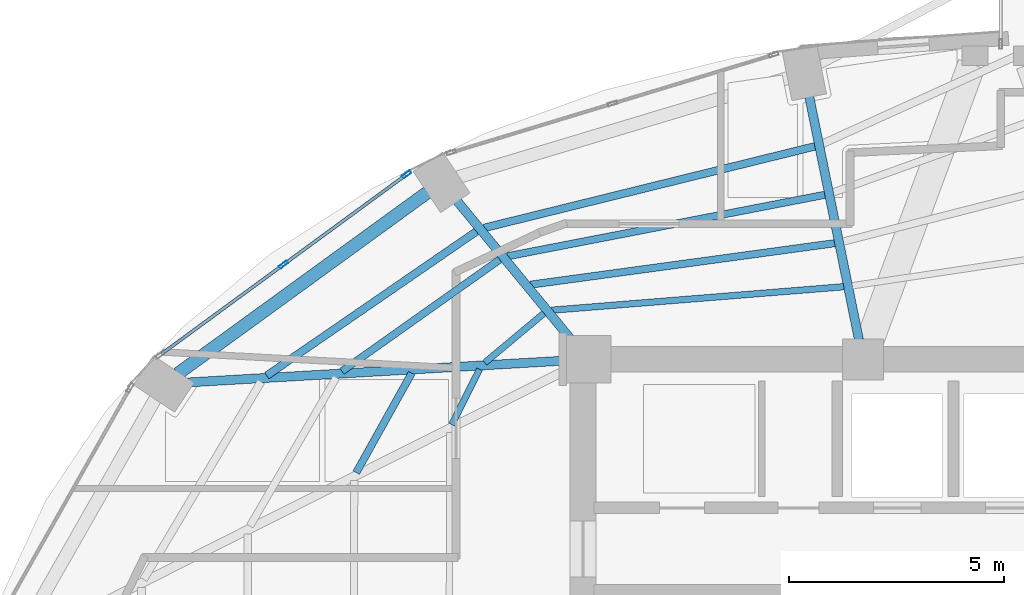
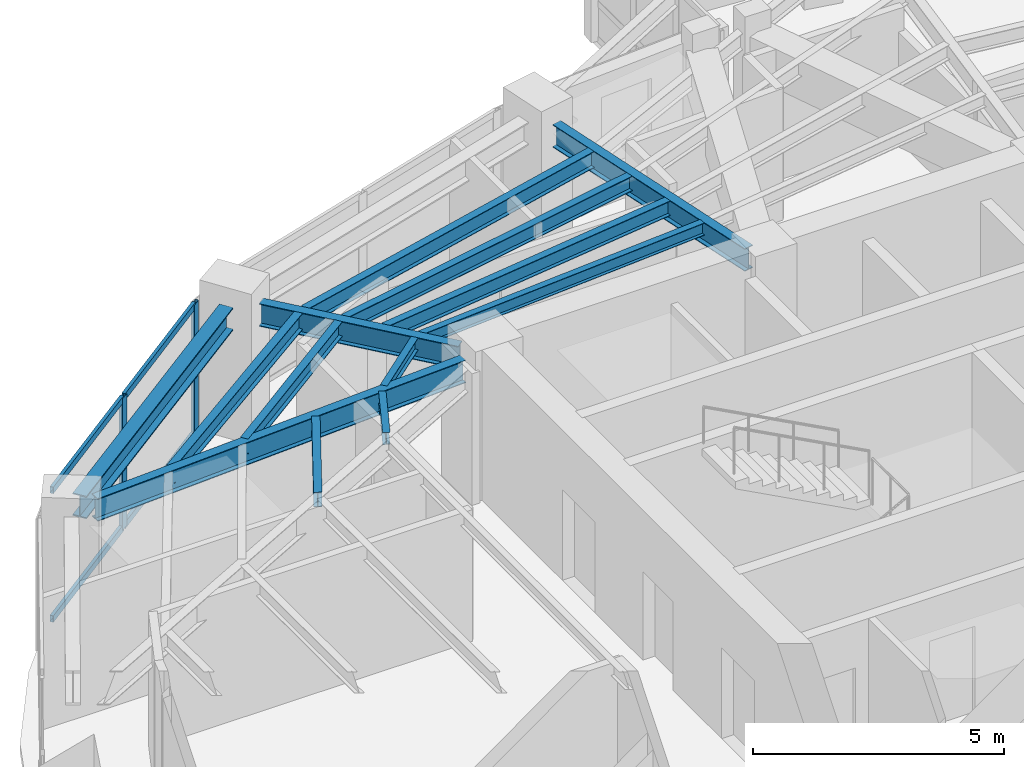
# One storey, part 7 of 20: 13 beams, 6 members, 1 element without a shape of its own.
"""IFC4 building model written with IfcOpenShell, lengths in metres."""

from ifc_helpers import new_model, si_unit, direction, frame, origin, origin_2d, place, context, subcontext, project, spatial, hollow_rectangle, i_section, extrude, material, layer, layer_set, material_profile, profile_set, type_object, element, aggregate, save


model = new_model("IFC4")

# Units and contexts
model_context = context("Model", 3, precision=1e-05, world=origin(), true_north=direction((0.0, 1.0)))
body_context = subcontext(model_context, "Body", "Model", "MODEL_VIEW")
ifc_project = project(units=[si_unit("LENGTHUNIT", "METRE"), si_unit("AREAUNIT", "SQUARE_METRE"), si_unit("VOLUMEUNIT", "CUBIC_METRE"), si_unit("PLANEANGLEUNIT", "RADIAN"), si_unit("MASSUNIT", "GRAM", prefix="KILO")], contexts=[model_context])

# Site, building, storey
site_placement = place(None, origin())
site = spatial("IfcSite", under=ifc_project, at=site_placement, CompositionType="ELEMENT")
building_placement = place(site_placement, origin())
building = spatial("IfcBuilding", under=site, at=building_placement, Name="Lazwardi Medical Tower", CompositionType="ELEMENT")
storey_placement = place(building_placement, frame((0.0, 0.0, 185.7119140625)))
storey = spatial("IfcBuildingStorey", under=building, at=storey_placement, Name="L48", CompositionType="ELEMENT", Elevation=185.7119140625)

# Beams
ifc_material_1 = material(Name="Steel S355", Category="steel")
ifc_material_profile_1 = material_profile(ifc_material_1, i_section(OverallWidth=0.300048828125, OverallDepth=0.550048828125, WebThickness=0.014892578125, FlangeThickness=0.029052734375, at=origin_2d()), Name="HEB 550")
ifc_profile_set_1 = profile_set([ifc_material_profile_1], Name="Steel S355")
beam_type_1 = type_object("IfcBeamType", Name="BM-RB-Z3", PredefinedType="BEAM", material=ifc_profile_set_1)
beam_1_placement = place(storey_placement, frame((22.689697265625, 39.479248046875, 2.923095703125), z_axis=(-0.809127570774, -0.587633026824, 0.0), x_axis=(0.587633026824, -0.809127570774, 0.0)))
element("IfcBeam", 1, at=beam_1_placement, inside=storey, type_object=beam_type_1, Name="Ring beam RB-04 B10 L48", PredefinedType="BEAM", context=body_context, shape_type="SweptSolid", body=[
    extrude(i_section(OverallWidth=0.300048828125, OverallDepth=0.550048828125, WebThickness=0.014892578125, FlangeThickness=0.029052734375, at=origin_2d()), origin(), (0.0, 0.0, 1.0), 7.170166015625),
])
ifc_material_profile_2 = material_profile(ifc_material_1, i_section(OverallWidth=0.2099609375, OverallDepth=0.550048828125, WebThickness=0.010986328125, FlangeThickness=0.01708984375, at=origin_2d()), Name="IPE 550")
ifc_profile_set_2 = profile_set([ifc_material_profile_2], Name="Steel S355")
beam_type_2 = type_object("IfcBeamType", Name="BM-RG-W2", PredefinedType="BEAM", material=ifc_profile_set_2)
beam_2_placement = place(storey_placement, frame((31.552001953125, 41.7001953125, 2.923095703125), z_axis=(0.200429485343, -0.979708130723, 0.0), x_axis=(0.979708130723, 0.200429485343, 0.0)))
element("IfcBeam", 2, at=beam_2_placement, inside=storey, type_object=beam_type_2, Name="Radial girder RG-03 R09 L48", PredefinedType="BEAM", context=body_context, shape_type="SweptSolid", body=[
    extrude(i_section(OverallWidth=0.2099609375, OverallDepth=0.550048828125, WebThickness=0.010986328125, FlangeThickness=0.01708984375, at=origin_2d()), origin(), (0.0, 0.0, 1.0), 5.766357421875),
])
beam_3_placement = place(storey_placement, frame((23.369384765625, 39.28173828125, 2.923095703125), z_axis=(0.635555639966, -0.772055068312, 0.0), x_axis=(0.772055068312, 0.635555639966, 0.0)))
element("IfcBeam", 3, at=beam_3_placement, inside=storey, type_object=beam_type_2, Name="Radial girder RG-03 R10 L48", PredefinedType="BEAM", context=body_context, shape_type="SweptSolid", body=[
    extrude(i_section(OverallWidth=0.2099609375, OverallDepth=0.550048828125, WebThickness=0.010986328125, FlangeThickness=0.01708984375, at=origin_2d()), origin(), (0.0, 0.0, 1.0), 4.233642578125),
])
beam_4_placement = place(storey_placement, frame((17.12353515625, 35.063232421875, 2.923095703125), z_axis=(0.998330154646, 0.057765927014, 0.0), x_axis=(-0.057765927014, 0.998330154646, 0.0)))
element("IfcBeam", 4, at=beam_4_placement, inside=storey, type_object=beam_type_2, Name="Radial girder RG-03 R11 L48", PredefinedType="BEAM", context=body_context, shape_type="SweptSolid", body=[
    extrude(i_section(OverallWidth=0.2099609375, OverallDepth=0.550048828125, WebThickness=0.010986328125, FlangeThickness=0.01708984375, at=origin_2d()), origin(), (0.0, 0.0, 1.0), 8.757080078125),
])
ifc_material_profile_3 = material_profile(ifc_material_1, i_section(OverallWidth=0.179931640625, OverallDepth=0.39990234375, WebThickness=0.008544921875, FlangeThickness=0.013427734375, at=origin_2d()), Name="IPE 400")
ifc_profile_set_3 = profile_set([ifc_material_profile_3], Name="Steel S355")
beam_type_3 = type_object("IfcBeamType", Name="BM-SJ-01", PredefinedType="JOIST", material=ifc_profile_set_3)
beam_5_placement = place(storey_placement, frame((31.68603515625, 40.54638671875, 2.998046875), z_axis=(-0.970912648168, -0.239433977597, 0.0), x_axis=(0.239433977597, -0.970912648168, 0.0)))
element("IfcBeam", 5, at=beam_5_placement, inside=storey, type_object=beam_type_3, Name="Secondary joist SJ-01 R1 B09 L48", PredefinedType="JOIST", context=body_context, shape_type="SweptSolid", body=[
    extrude(i_section(OverallWidth=0.179931640625, OverallDepth=0.39990234375, WebThickness=0.008544921875, FlangeThickness=0.013427734375, at=origin_2d()), origin(), (0.0, 0.0, 1.0), 7.91162109375),
])
beam_6_placement = place(storey_placement, frame((23.8251953125, 38.5712890625, 2.998046875), z_axis=(-0.823932256005, -0.566688307198, 0.0), x_axis=(0.566688307198, -0.823932256005, 0.0)))
element("IfcBeam", 6, at=beam_6_placement, inside=storey, type_object=beam_type_3, Name="Secondary joist SJ-01 R1 B10 L48", PredefinedType="JOIST", context=body_context, shape_type="SweptSolid", body=[
    extrude(i_section(OverallWidth=0.179931640625, OverallDepth=0.39990234375, WebThickness=0.008544921875, FlangeThickness=0.013427734375, at=origin_2d()), origin(), (0.0, 0.0, 1.0), 5.91162109375),
])
ifc_material_profile_4 = material_profile(ifc_material_1, i_section(OverallWidth=0.169921875, OverallDepth=0.360107421875, WebThickness=0.008056640625, FlangeThickness=0.0126953125, at=origin_2d()), Name="IPE 360")
ifc_profile_set_4 = profile_set([ifc_material_profile_4], Name="Steel S355")
beam_type_4 = type_object("IfcBeamType", Name="BM-SJ-02", PredefinedType="JOIST", material=ifc_profile_set_4)
beam_7_placement = place(storey_placement, frame((31.916015625, 39.42138671875, 3.01806640625), z_axis=(-0.981753035865, -0.190160396953, 0.0), x_axis=(0.190160396953, -0.981753035865, 0.0)))
element("IfcBeam", 7, at=beam_7_placement, inside=storey, type_object=beam_type_4, Name="Secondary joist SJ-02 R2 B09 L48", PredefinedType="JOIST", context=body_context, shape_type="SweptSolid", body=[
    extrude(i_section(OverallWidth=0.169921875, OverallDepth=0.360107421875, WebThickness=0.008056640625, FlangeThickness=0.0126953125, at=origin_2d()), origin(), (0.0, 0.0, 1.0), 7.50927734375),
])
beam_8_placement = place(storey_placement, frame((24.364013671875, 37.91650390625, 3.01806640625), z_axis=(-0.816108950798, -0.577898070967, 0.0), x_axis=(0.577898070967, -0.816108950798, 0.0)))
element("IfcBeam", 8, at=beam_8_placement, inside=storey, type_object=beam_type_4, Name="Secondary joist SJ-02 R2 B10 L48", PredefinedType="JOIST", context=body_context, shape_type="SweptSolid", body=[
    extrude(i_section(OverallWidth=0.169921875, OverallDepth=0.360107421875, WebThickness=0.008056640625, FlangeThickness=0.0126953125, at=origin_2d()), origin(), (0.0, 0.0, 1.0), 4.487060546875),
])
beam_9_placement = place(storey_placement, frame((32.146484375, 38.297119140625, 3.01806640625), z_axis=(-0.990832043476, -0.135099450852, 0.0), x_axis=(0.135099450852, -0.990832043476, 0.0)))
element("IfcBeam", 9, at=beam_9_placement, inside=storey, type_object=beam_type_4, Name="Secondary joist SJ-02 R3 B09 L48", PredefinedType="JOIST", context=body_context, shape_type="SweptSolid", body=[
    extrude(i_section(OverallWidth=0.169921875, OverallDepth=0.360107421875, WebThickness=0.008056640625, FlangeThickness=0.0126953125, at=origin_2d()), origin(), (0.0, 0.0, 1.0), 7.129150390625),
])
beam_10_placement = place(storey_placement, frame((22.3203125, 35.279296875, 3.01806640625), z_axis=(-0.487099444348, -0.87334651274, 0.0), x_axis=(0.87334651274, -0.487099444348, 0.0)))
element("IfcBeam", 10, at=beam_10_placement, inside=storey, type_object=beam_type_4, Name="Secondary joist SJ-02 R3 B11 L48", PredefinedType="JOIST", context=body_context, shape_type="SweptSolid", body=[
    extrude(i_section(OverallWidth=0.169921875, OverallDepth=0.360107421875, WebThickness=0.008056640625, FlangeThickness=0.0126953125, at=origin_2d()), origin(), (0.0, 0.0, 1.0), 2.64599609375),
])
ifc_material_profile_5 = material_profile(ifc_material_1, i_section(OverallWidth=0.14990234375, OverallDepth=0.300048828125, WebThickness=0.007080078125, FlangeThickness=0.0107421875, at=origin_2d()), Name="IPE 300")
ifc_profile_set_5 = profile_set([ifc_material_profile_5], Name="Steel S355")
beam_type_5 = type_object("IfcBeamType", Name="BM-SJ-03", PredefinedType="JOIST", material=ifc_profile_set_5)
beam_11_placement = place(storey_placement, frame((32.353759765625, 37.28564453125, 3.048095703125), z_axis=(-0.996785792338, -0.08011294647, 0.0), x_axis=(0.08011294647, -0.996785792338, 0.0)))
element("IfcBeam", 11, at=beam_11_placement, inside=storey, type_object=beam_type_5, Name="Secondary joist SJ-03 R4 B09 L48", PredefinedType="JOIST", context=body_context, shape_type="SweptSolid", body=[
    extrude(i_section(OverallWidth=0.14990234375, OverallDepth=0.300048828125, WebThickness=0.007080078125, FlangeThickness=0.0107421875, at=origin_2d()), origin(), (0.0, 0.0, 1.0), 6.80810546875),
])
beam_12_placement = place(storey_placement, frame((25.391357421875, 36.668212890625, 3.048095703125), z_axis=(-0.767437193893, -0.641124132621, 0.0), x_axis=(0.641124132621, -0.767437193893, 0.0)))
element("IfcBeam", 12, at=beam_12_placement, inside=storey, type_object=beam_type_5, Name="Secondary joist SJ-03 R4 B10 L48", PredefinedType="JOIST", context=body_context, shape_type="SweptSolid", body=[
    extrude(i_section(OverallWidth=0.14990234375, OverallDepth=0.300048828125, WebThickness=0.007080078125, FlangeThickness=0.0107421875, at=origin_2d()), origin(), (0.0, 0.0, 1.0), 1.787841796875),
])
beam_13_placement = place(storey_placement, frame((23.8974609375, 35.368408203125, 3.048095703125), z_axis=(-0.450406075332, -0.892823816497, 0.0), x_axis=(0.892823816497, -0.450406075332, 0.0)))
element("IfcBeam", 13, at=beam_13_placement, inside=storey, type_object=beam_type_5, Name="Secondary joist SJ-03 R4 B11 L48", PredefinedType="JOIST", context=body_context, shape_type="SweptSolid", body=[
    extrude(i_section(OverallWidth=0.14990234375, OverallDepth=0.300048828125, WebThickness=0.007080078125, FlangeThickness=0.0107421875, at=origin_2d()), origin(), (0.0, 0.0, 1.0), 1.4365234375),
])

# Curtain wall, members
ifc_material_2 = material(Name="Anodised bronze aluminium and solar control glazing", Category="aluminium")
ifc_layer = layer(ifc_material_2, 0.195068359375)
ifc_layer_set = layer_set([ifc_layer], Name="Anodised bronze aluminium and solar control glazing")
curtain_wall_type = type_object("IfcCurtainWallType", Name="CW-SYS-03", PredefinedType="NOTDEFINED", material=ifc_layer_set)
curtain_wall_placement = place(storey_placement, origin())
curtain_wall = element("IfcCurtainWall", 14, at=curtain_wall_placement, inside=storey, type_object=curtain_wall_type, Name="L48 Unitised bronze curtain wall CW-03", PredefinedType="NOTDEFINED")
ifc_material_3 = material(Name="Anodised bronze aluminium", Category="aluminium")
ifc_material_profile_6 = material_profile(ifc_material_3, hollow_rectangle(XDim=0.074951171875, YDim=0.219970703125, WallThickness=0.00390625, at=origin_2d()), Name="ALU-MULLION 220x75x4")
ifc_profile_set_6 = profile_set([ifc_material_profile_6], Name="Anodised bronze aluminium")
member_type_1 = type_object("IfcMemberType", Name="CW-MUL-01", PredefinedType="MULLION", material=ifc_profile_set_6)
member_1_placement = place(storey_placement, frame((22.204345703125, 39.894775390625, 0.0), z_axis=(0.0, 0.0, 1.0), x_axis=(0.590833862635, -0.806793249082, 0.0)))
member_1 = element("IfcMember", 15, at=member_1_placement, type_object=member_type_1, Name="CW-03 mullion 1", PredefinedType="MULLION", context=body_context, shape_type="SweptSolid", body=[
    extrude(hollow_rectangle(XDim=0.074951171875, YDim=0.219970703125, WallThickness=0.00390625, at=origin_2d()), origin(), (0.0, 0.0, 1.0), 3.197998046875),
])
member_2_placement = place(storey_placement, frame((19.34228515625, 37.798828125, 0.0), z_axis=(0.0, 0.0, 1.0), x_axis=(0.590833862635, -0.806793249082, 0.0)))
member_2 = element("IfcMember", 16, at=member_2_placement, type_object=member_type_1, Name="CW-03 mullion 2", PredefinedType="MULLION", context=body_context, shape_type="SweptSolid", body=[
    extrude(hollow_rectangle(XDim=0.074951171875, YDim=0.219970703125, WallThickness=0.00390625, at=origin_2d()), origin(), (0.0, 0.0, 1.0), 3.197998046875),
])
ifc_material_profile_7 = material_profile(ifc_material_3, hollow_rectangle(XDim=0.074951171875, YDim=0.159912109375, WallThickness=0.00390625, at=origin_2d()), Name="ALU-TRANSOM 160x75x4")
ifc_profile_set_7 = profile_set([ifc_material_profile_7], Name="Anodised bronze aluminium")
member_type_2 = type_object("IfcMemberType", Name="CW-TRN-01", PredefinedType="USERDEFINED", material=ifc_profile_set_7)
member_3_placement = place(storey_placement, frame((22.174072265625, 39.872802734375, 0.03759765625), z_axis=(-0.806773646358, -0.590860629542, 0.0), x_axis=(0.590860629542, -0.806773646358, 0.0)))
member_3 = element("IfcMember", 17, at=member_3_placement, type_object=member_type_2, Name="CW-03 transom 1.1", ObjectType="TRANSOM", PredefinedType="USERDEFINED", context=body_context, shape_type="SweptSolid", body=[
    extrude(hollow_rectangle(XDim=0.074951171875, YDim=0.159912109375, WallThickness=0.00390625, at=origin_2d()), origin(), (0.0, 0.0, 1.0), 3.472412109375),
])
member_4_placement = place(storey_placement, frame((22.174072265625, 39.872802734375, 3.16064453125), z_axis=(-0.806773646358, -0.590860629542, 0.0), x_axis=(0.590860629542, -0.806773646358, 0.0)))
member_4 = element("IfcMember", 18, at=member_4_placement, type_object=member_type_2, Name="CW-03 transom 1.2", ObjectType="TRANSOM", PredefinedType="USERDEFINED", context=body_context, shape_type="SweptSolid", body=[
    extrude(hollow_rectangle(XDim=0.074951171875, YDim=0.159912109375, WallThickness=0.00390625, at=origin_2d()), origin(), (0.0, 0.0, 1.0), 3.472412109375),
])
member_5_placement = place(storey_placement, frame((19.31201171875, 37.77685546875, 0.03759765625), z_axis=(-0.806773646358, -0.590860629542, 0.0), x_axis=(0.590860629542, -0.806773646358, 0.0)))
member_5 = element("IfcMember", 19, at=member_5_placement, type_object=member_type_2, Name="CW-03 transom 2.1", ObjectType="TRANSOM", PredefinedType="USERDEFINED", context=body_context, shape_type="SweptSolid", body=[
    extrude(hollow_rectangle(XDim=0.074951171875, YDim=0.159912109375, WallThickness=0.00390625, at=origin_2d()), origin(), (0.0, 0.0, 1.0), 3.472412109375),
])
member_6_placement = place(storey_placement, frame((19.31201171875, 37.77685546875, 3.16064453125), z_axis=(-0.806773646358, -0.590860629542, 0.0), x_axis=(0.590860629542, -0.806773646358, 0.0)))
member_6 = element("IfcMember", 20, at=member_6_placement, type_object=member_type_2, Name="CW-03 transom 2.2", ObjectType="TRANSOM", PredefinedType="USERDEFINED", context=body_context, shape_type="SweptSolid", body=[
    extrude(hollow_rectangle(XDim=0.074951171875, YDim=0.159912109375, WallThickness=0.00390625, at=origin_2d()), origin(), (0.0, 0.0, 1.0), 3.472412109375),
])
aggregate(curtain_wall, [member_1, member_2, member_3, member_4, member_5, member_6])

save(model, "model.ifc")
